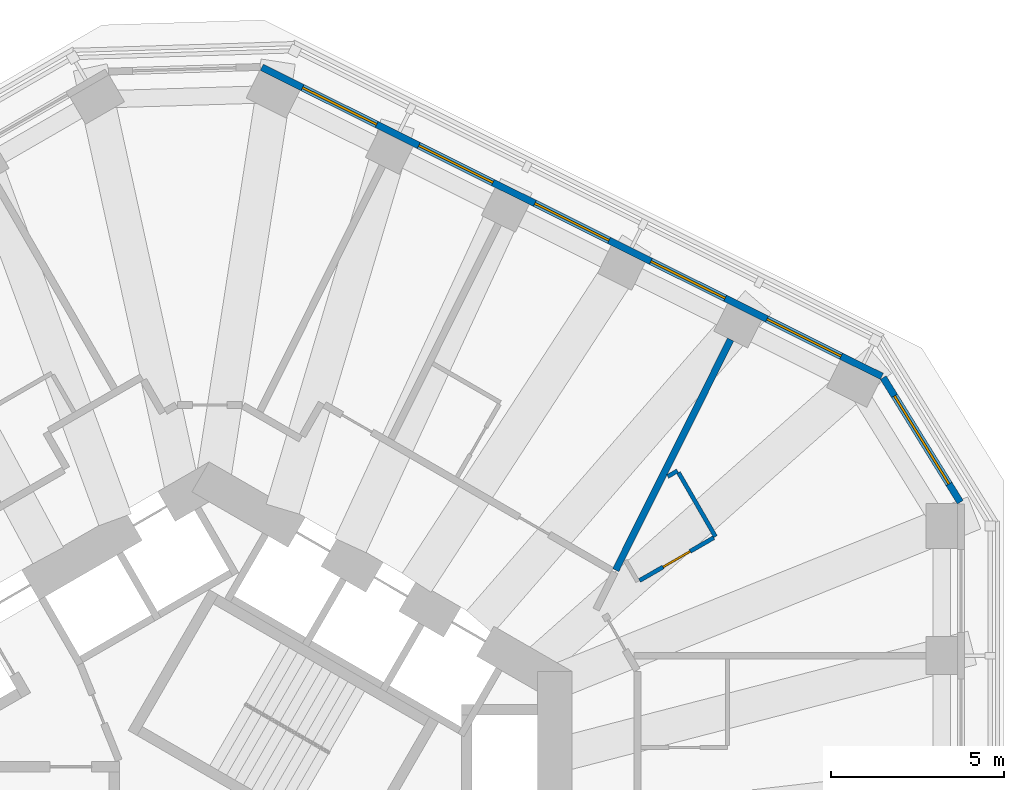
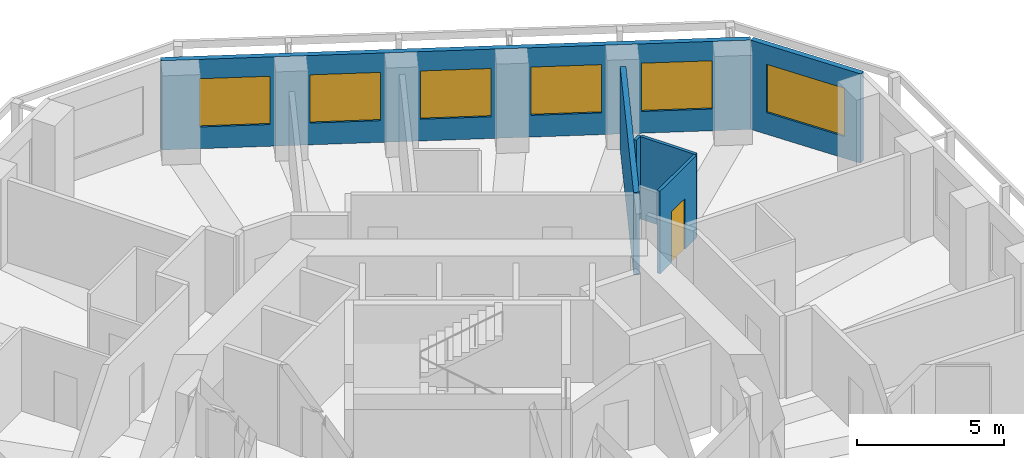
# One storey, part 9 of 12: 6 walls, 6 windows, 1 door, 7 openings.
"""IFC4 building model written with IfcOpenShell, lengths in metres."""

from ifc_helpers import new_model, si_unit, direction, frame, frame_2d, origin, place, context, subcontext, project, spatial, rectangle, extrude, material, layer, layer_set, type_object, element, fill, save


model = new_model("IFC4")

# Units and contexts
model_context = context("Model", 3, precision=1e-05, world=origin(), true_north=direction((0.0, 1.0)))
body_context = subcontext(model_context, "Body", "Model", "MODEL_VIEW")
ifc_project = project(units=[si_unit("LENGTHUNIT", "METRE"), si_unit("AREAUNIT", "SQUARE_METRE"), si_unit("VOLUMEUNIT", "CUBIC_METRE"), si_unit("PLANEANGLEUNIT", "RADIAN"), si_unit("MASSUNIT", "GRAM", prefix="KILO")], contexts=[model_context])

# Site, building, storey
site_placement = place(None, origin())
site = spatial("IfcSite", under=ifc_project, at=site_placement, CompositionType="ELEMENT")
building_placement = place(site_placement, origin())
building = spatial("IfcBuilding", under=site, at=building_placement, Name="Vanh Sen Convention Tower", CompositionType="ELEMENT")
storey_placement = place(building_placement, frame((0.0, 0.0, 124.39990234375)))
storey = spatial("IfcBuildingStorey", under=building, at=storey_placement, Name="L30", CompositionType="ELEMENT", Elevation=124.39990234375)

# Walls
ifc_material_1 = material(Name="Moisture-resistant gypsum board on steel studs", Category="steel")
ifc_layer_1 = layer(ifc_material_1, 0.1201171875)
ifc_layer_set_1 = layer_set([ifc_layer_1], Name="Moisture-resistant gypsum board on steel studs")
wall_type_1 = type_object("IfcWallType", Name="Bathroom partition 120", PredefinedType="PARTITIONING", material=ifc_layer_set_1)
wall_1_placement = place(storey_placement, frame((13.269287109375, 11.702392578125, 0.0), z_axis=(0.0, 0.0, 1.0), x_axis=(0.865936922628, 0.500153222552, 0.0)))
element("IfcWall", 1, at=wall_1_placement, inside=storey, type_object=wall_type_1, Name="Bathroom partition 120", PredefinedType="PARTITIONING", context=body_context, shape_type="SweptSolid", body=[
    extrude(rectangle(XDim=0.3271484375, YDim=0.1201171875, at=frame_2d((0.16357421875, 0.0))), origin(), (0.0, 0.0, 1.0), 3.420166015625),
])
wall_2_placement = place(storey_placement, frame((13.58251953125, 11.81396484375, 0.0), z_axis=(0.0, 0.0, 1.0), x_axis=(0.500028586798, -0.86600889856, 0.0)))
element("IfcWall", 2, at=wall_2_placement, inside=storey, type_object=wall_type_1, Name="Bathroom partition 120", PredefinedType="PARTITIONING", context=body_context, shape_type="SweptSolid", body=[
    extrude(rectangle(XDim=2.139892578125, YDim=0.1201171875, at=frame_2d((1.06982421875, 0.0))), origin(), (0.0, 0.0, 1.0), 3.420166015625),
])

# Wall, opening, door
wall_3_placement = place(storey_placement, frame((14.6005859375, 9.9306640625, 0.0), z_axis=(0.0, 0.0, 1.0), x_axis=(-0.866023285932, -0.50000366821, 0.0)))
wall_3 = element("IfcWall", 3, at=wall_3_placement, inside=storey, type_object=wall_type_1, Name="Bathroom partition 120", PredefinedType="PARTITIONING", context=body_context, shape_type="SweptSolid", body=[
    extrude(rectangle(XDim=2.47998046875, YDim=0.1201171875, at=frame_2d((1.239990234375, 0.0))), origin(), (0.0, 0.0, 1.0), 3.420166015625),
])
opening_1_placement = place(wall_3_placement, frame((0.7900390625, 0.0, 0.0)))
opening_1 = element("IfcOpeningElement", 4, at=opening_1_placement, cuts=wall_3, Name="Opening D30105", PredefinedType="OPENING", context=body_context, shape_type="SweptSolid", body=[
    extrude(rectangle(XDim=0.89990234375, YDim=2.10009765625, at=frame_2d((0.449951171875, 1.050048828125))), frame((0.0, 0.070068359375, 0.0), z_axis=(0.0, -1.0, 0.0), x_axis=(1.0, 0.0, 0.0)), (0.0, 0.0, 1.0), 0.14013671875),
])
ifc_material_2 = material(Name="Laminate door in steel frame", Category="steel")
door_type = type_object("IfcDoorType", Name="Room internal door 900", OperationType="SINGLE_SWING_LEFT", PredefinedType="DOOR", material=ifc_material_2)
door_placement = place(opening_1_placement, origin())
door = element("IfcDoor", 5, at=door_placement, inside=storey, type_object=door_type, Name="Internal room door D30105", OperationType="SINGLE_SWING_LEFT", OverallHeight=2.10009765625, OverallWidth=0.89990234375, PredefinedType="DOOR", context=body_context, shape_type="SweptSolid", body=[
    extrude(rectangle(XDim=0.89990234375, YDim=2.10009765625, at=frame_2d((0.449951171875, 1.050048828125))), frame((0.0, 0.02490234375, 0.0), z_axis=(0.0, -1.0, 0.0), x_axis=(1.0, 0.0, 0.0)), (0.0, 0.0, 1.0), 0.050048828125),
])
fill(opening_1, door)

# Wall, opening, window
ifc_material_3 = material(Name="Insulated lightweight infill wall")
ifc_layer_2 = layer(ifc_material_3, 0.199951171875)
ifc_layer_set_2 = layer_set([ifc_layer_2], Name="Insulated lightweight infill wall")
wall_type_2 = type_object("IfcWallType", Name="External wall 200", PredefinedType="STANDARD", material=ifc_layer_set_2)
wall_4_placement = place(storey_placement, frame((21.735107421875, 10.9580078125, 0.0), z_axis=(0.0, 0.0, 1.0), x_axis=(-0.526213807775, 0.850352296702, 0.0)))
wall_4 = element("IfcWall", 6, at=wall_4_placement, inside=storey, type_object=wall_type_2, Name="External wall CH1 L30", PredefinedType="STANDARD", context=body_context, shape_type="SweptSolid", body=[
    extrude(rectangle(XDim=4.23828125, YDim=0.199951171875, at=frame_2d((2.119140625, 0.0))), origin(), (0.0, 0.0, 1.0), 3.7001953125),
])
opening_2_placement = place(wall_4_placement, frame((0.619140625, 0.0, 0.89990234375)))
opening_2 = element("IfcOpeningElement", 7, at=opening_2_placement, cuts=wall_4, Name="Opening WO2-CH11", PredefinedType="OPENING", context=body_context, shape_type="SweptSolid", body=[
    extrude(rectangle(XDim=3.0, YDim=2.0, at=frame_2d((1.5, 1.0))), frame((0.0, 0.10986328125, 0.0), z_axis=(0.0, -1.0, 0.0), x_axis=(1.0, 0.0, 0.0)), (0.0, 0.0, 1.0), 0.219970703125),
])
ifc_material_4 = material(Name="Aluminium frame with clear low-emissivity glass", Category="aluminium")
window_type_1 = type_object("IfcWindowType", Name="Office window 3000 x 2000", PartitioningType="SINGLE_PANEL", PredefinedType="WINDOW", material=ifc_material_4)
window_1_placement = place(opening_2_placement, origin())
window_1 = element("IfcWindow", 8, at=window_1_placement, inside=storey, type_object=window_type_1, Name="Window WO2-CH11", OverallHeight=2.0, OverallWidth=3.0, PartitioningType="SINGLE_PANEL", PredefinedType="WINDOW", context=body_context, shape_type="SweptSolid", body=[
    extrude(rectangle(XDim=3.0, YDim=2.0, at=frame_2d((1.5, 1.0))), frame((0.0, 0.030029296875, 0.0), z_axis=(0.0, -1.0, 0.0), x_axis=(1.0, 0.0, 0.0)), (0.0, 0.0, 1.0), 0.06005859375),
])
fill(opening_2, window_1)

# Wall, openings, windows
wall_5_placement = place(storey_placement, frame((19.46435546875, 14.598876953125, 0.0), z_axis=(0.0, 0.0, 1.0), x_axis=(-0.894935755043, 0.446195018289, 0.0)))
wall_5 = element("IfcWall", 9, at=wall_5_placement, inside=storey, type_object=wall_type_2, Name="External wall NE L30", PredefinedType="STANDARD", context=body_context, shape_type="SweptSolid", body=[
    extrude(rectangle(XDim=20.043701171875, YDim=0.199951171875, at=frame_2d((10.02197265625, 0.0))), origin(), (0.0, 0.0, 1.0), 3.7001953125),
])
opening_3_placement = place(wall_5_placement, frame((1.31298828125, 0.0, 0.89990234375)))
opening_3 = element("IfcOpeningElement", 10, at=opening_3_placement, cuts=wall_5, Name="Opening WO1-NE1", PredefinedType="OPENING", context=body_context, shape_type="SweptSolid", body=[
    extrude(rectangle(XDim=2.39990234375, YDim=2.0, at=frame_2d((1.199951171875, 1.0))), frame((0.0, 0.10986328125, 0.0), z_axis=(0.0, -1.0, 0.0), x_axis=(1.0, 0.0, 0.0)), (0.0, 0.0, 1.0), 0.219970703125),
])
opening_4_placement = place(wall_5_placement, frame((5.06689453125, 0.0, 0.89990234375)))
opening_4 = element("IfcOpeningElement", 11, at=opening_4_placement, cuts=wall_5, Name="Opening WO1-NE2", PredefinedType="OPENING", context=body_context, shape_type="SweptSolid", body=[
    extrude(rectangle(XDim=2.39990234375, YDim=2.0, at=frame_2d((1.199951171875, 1.0))), frame((0.0, 0.10986328125, 0.0), z_axis=(0.0, -1.0, 0.0), x_axis=(1.0, 0.0, 0.0)), (0.0, 0.0, 1.0), 0.219970703125),
])
opening_5_placement = place(wall_5_placement, frame((8.821044921875, 0.0, 0.89990234375)))
opening_5 = element("IfcOpeningElement", 12, at=opening_5_placement, cuts=wall_5, Name="Opening WO1-NE3", PredefinedType="OPENING", context=body_context, shape_type="SweptSolid", body=[
    extrude(rectangle(XDim=2.39990234375, YDim=2.0, at=frame_2d((1.199951171875, 1.0))), frame((0.0, 0.10986328125, 0.0), z_axis=(0.0, -1.0, 0.0), x_axis=(1.0, 0.0, 0.0)), (0.0, 0.0, 1.0), 0.219970703125),
])
opening_6_placement = place(wall_5_placement, frame((12.5751953125, 0.0, 0.89990234375)))
opening_6 = element("IfcOpeningElement", 13, at=opening_6_placement, cuts=wall_5, Name="Opening WO1-NE4", PredefinedType="OPENING", context=body_context, shape_type="SweptSolid", body=[
    extrude(rectangle(XDim=2.39990234375, YDim=2.0, at=frame_2d((1.199951171875, 1.0))), frame((0.0, 0.10986328125, 0.0), z_axis=(0.0, -1.0, 0.0), x_axis=(1.0, 0.0, 0.0)), (0.0, 0.0, 1.0), 0.219970703125),
])
opening_7_placement = place(wall_5_placement, frame((16.329345703125, 0.0, 0.89990234375)))
opening_7 = element("IfcOpeningElement", 14, at=opening_7_placement, cuts=wall_5, Name="Opening WO1-NE5", PredefinedType="OPENING", context=body_context, shape_type="SweptSolid", body=[
    extrude(rectangle(XDim=2.39990234375, YDim=2.0, at=frame_2d((1.199951171875, 1.0))), frame((0.0, 0.10986328125, 0.0), z_axis=(0.0, -1.0, 0.0), x_axis=(1.0, 0.0, 0.0)), (0.0, 0.0, 1.0), 0.219970703125),
])
window_type_2 = type_object("IfcWindowType", Name="Office window 2400 x 2000", PartitioningType="SINGLE_PANEL", PredefinedType="WINDOW", material=ifc_material_4)
window_2_placement = place(opening_3_placement, origin())
window_2 = element("IfcWindow", 15, at=window_2_placement, inside=storey, type_object=window_type_2, Name="Window WO1-NE1", OverallHeight=2.0, OverallWidth=2.39990234375, PartitioningType="SINGLE_PANEL", PredefinedType="WINDOW", context=body_context, shape_type="SweptSolid", body=[
    extrude(rectangle(XDim=2.39990234375, YDim=2.0, at=frame_2d((1.199951171875, 1.0))), frame((0.0, 0.030029296875, 0.0), z_axis=(0.0, -1.0, 0.0), x_axis=(1.0, 0.0, 0.0)), (0.0, 0.0, 1.0), 0.06005859375),
])
fill(opening_3, window_2)
window_3_placement = place(opening_4_placement, origin())
window_3 = element("IfcWindow", 16, at=window_3_placement, inside=storey, type_object=window_type_2, Name="Window WO1-NE2", OverallHeight=2.0, OverallWidth=2.39990234375, PartitioningType="SINGLE_PANEL", PredefinedType="WINDOW", context=body_context, shape_type="SweptSolid", body=[
    extrude(rectangle(XDim=2.39990234375, YDim=2.0, at=frame_2d((1.199951171875, 1.0))), frame((0.0, 0.030029296875, 0.0), z_axis=(0.0, -1.0, 0.0), x_axis=(1.0, 0.0, 0.0)), (0.0, 0.0, 1.0), 0.06005859375),
])
fill(opening_4, window_3)
window_4_placement = place(opening_5_placement, origin())
window_4 = element("IfcWindow", 17, at=window_4_placement, inside=storey, type_object=window_type_2, Name="Window WO1-NE3", OverallHeight=2.0, OverallWidth=2.39990234375, PartitioningType="SINGLE_PANEL", PredefinedType="WINDOW", context=body_context, shape_type="SweptSolid", body=[
    extrude(rectangle(XDim=2.39990234375, YDim=2.0, at=frame_2d((1.199951171875, 1.0))), frame((0.0, 0.030029296875, 0.0), z_axis=(0.0, -1.0, 0.0), x_axis=(1.0, 0.0, 0.0)), (0.0, 0.0, 1.0), 0.06005859375),
])
fill(opening_5, window_4)
window_5_placement = place(opening_6_placement, origin())
window_5 = element("IfcWindow", 18, at=window_5_placement, inside=storey, type_object=window_type_2, Name="Window WO1-NE4", OverallHeight=2.0, OverallWidth=2.39990234375, PartitioningType="SINGLE_PANEL", PredefinedType="WINDOW", context=body_context, shape_type="SweptSolid", body=[
    extrude(rectangle(XDim=2.39990234375, YDim=2.0, at=frame_2d((1.199951171875, 1.0))), frame((0.0, 0.030029296875, 0.0), z_axis=(0.0, -1.0, 0.0), x_axis=(1.0, 0.0, 0.0)), (0.0, 0.0, 1.0), 0.06005859375),
])
fill(opening_6, window_5)
window_6_placement = place(opening_7_placement, origin())
window_6 = element("IfcWindow", 19, at=window_6_placement, inside=storey, type_object=window_type_2, Name="Window WO1-NE5", OverallHeight=2.0, OverallWidth=2.39990234375, PartitioningType="SINGLE_PANEL", PredefinedType="WINDOW", context=body_context, shape_type="SweptSolid", body=[
    extrude(rectangle(XDim=2.39990234375, YDim=2.0, at=frame_2d((1.199951171875, 1.0))), frame((0.0, 0.030029296875, 0.0), z_axis=(0.0, -1.0, 0.0), x_axis=(1.0, 0.0, 0.0)), (0.0, 0.0, 1.0), 0.06005859375),
])
fill(opening_7, window_6)

# Wall
ifc_material_5 = material(Name="Gypsum board on steel studs with mineral wool", Category="steel")
ifc_layer_3 = layer(ifc_material_5, 0.199951171875)
ifc_layer_set_3 = layer_set([ifc_layer_3], Name="Gypsum board on steel studs with mineral wool")
wall_type_3 = type_object("IfcWallType", Name="Tenant suite wall 200", PredefinedType="PARTITIONING", material=ifc_layer_set_3)
wall_6_placement = place(storey_placement, frame((15.089599609375, 15.66259765625, 0.0), z_axis=(0.0, 0.0, 1.0), x_axis=(-0.446203977428, -0.89493128816, 0.0)))
element("IfcWall", 20, at=wall_6_placement, inside=storey, type_object=wall_type_3, Name="Tenant suite wall 200", PredefinedType="PARTITIONING", context=body_context, shape_type="SweptSolid", body=[
    extrude(rectangle(XDim=7.449951171875, YDim=0.199951171875, at=frame_2d((3.72509765625, 0.0))), origin(), (0.0, 0.0, 1.0), 3.420166015625),
])

save(model, "model.ifc")
